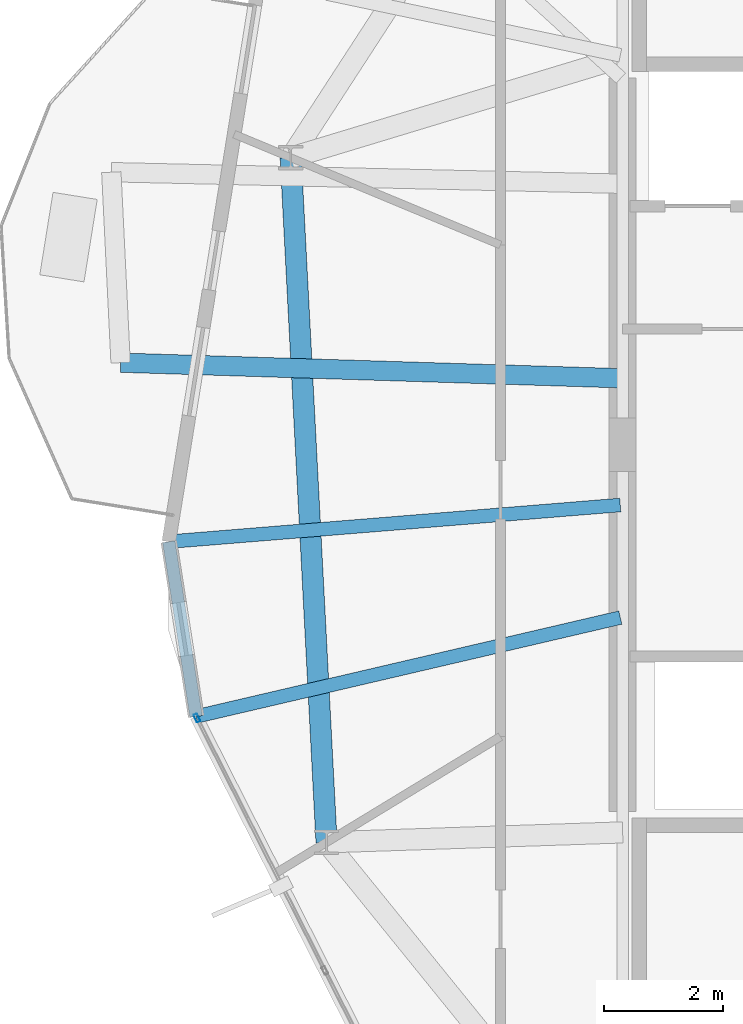
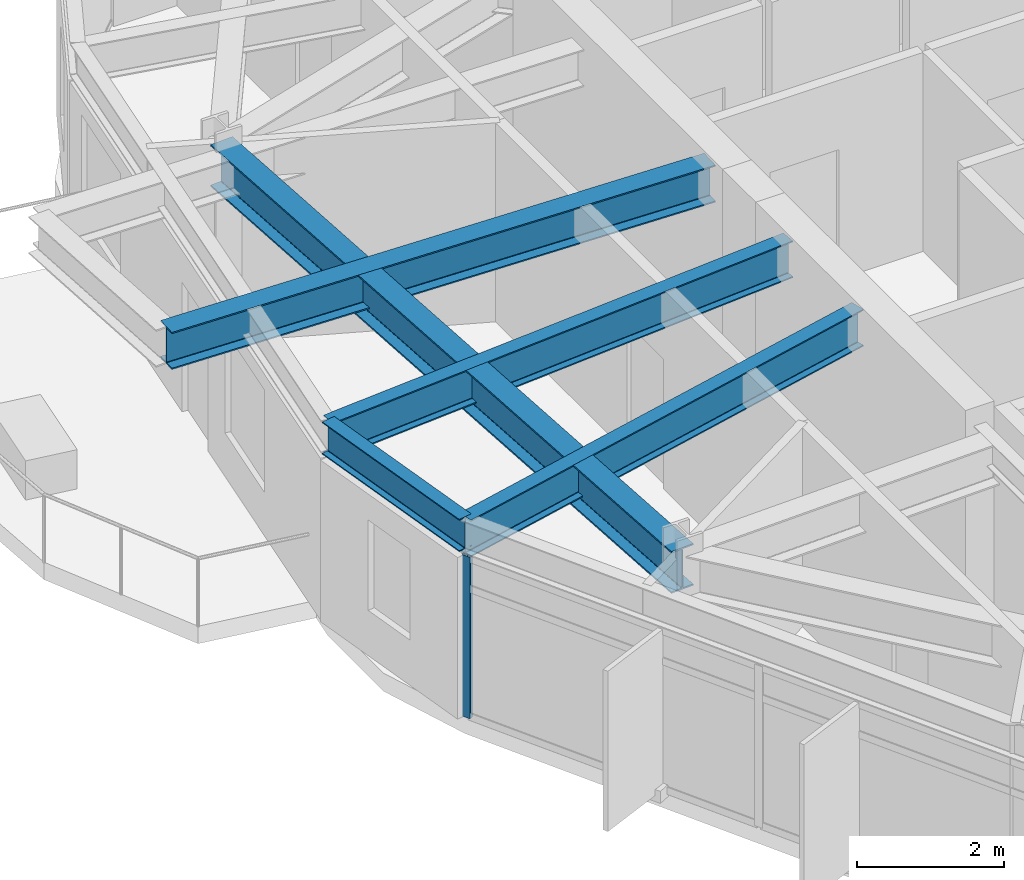
# One storey, part 6 of 27: 5 beams, 1 member, 1 element without a shape of its own.
"""IFC4 building model written with IfcOpenShell, lengths in metres."""

import ifcopenshell
import ifcopenshell.guid

model = None  # the IFC model being written
_history = None  # IfcOwnerHistory: only IFC2X3 demands one
_inside = {}  # id of a spatial element -> (the spatial element, [elements in it])
_under = {}  # id of a project, library or spatial element -> (it, [spatial elements below it])
_declared = {}  # id of a project -> (the project, [libraries it declares])
_typed = {}  # id of a type object -> (the type object, [elements of that type])
_made_of = {}  # id of a material, layer set ... -> (it, [elements and type objects made of it])


def new_model(schema):
    """Start an empty IFC model of exactly this schema.

    Asked for "IFC4X3", IfcOpenShell would pick the latest addendum, in which some entities
    have other attributes; the version numbers below select the first issue.
    IFC2X3 requires an IfcOwnerHistory on every rooted entity: one is made here for all.
    """
    global model, _history
    if schema == "IFC4X3":
        model = ifcopenshell.file(schema_version=(4, 3, 0, 0))
    else:
        model = ifcopenshell.file(schema=schema)
    _inside.clear()
    _under.clear()
    _declared.clear()
    _typed.clear()
    _made_of.clear()
    _history = None
    if model.schema == "IFC2X3":
        org = make("IfcOrganization", Name="unknown")
        user = make(
            "IfcPersonAndOrganization",
            ThePerson=make("IfcPerson", FamilyName="unknown"),
            TheOrganization=org,
        )
        app = make(
            "IfcApplication",
            ApplicationDeveloper=org,
            Version="unknown",
            ApplicationFullName="unknown",
            ApplicationIdentifier="unknown",
        )
        _history = make(
            "IfcOwnerHistory",
            OwningUser=user,
            OwningApplication=app,
            ChangeAction="ADDED",
            CreationDate=0,
        )
    return model


def make(cls, **values):
    """One entity of the class cls with the attributes given. An attribute that is None is left unset."""
    return model.create_entity(
        cls, **{name: value for name, value in values.items() if value is not None}
    )


def rooted(cls, **values):
    """An entity with a GlobalId (a new one), such as an element, a storey or a relation."""
    return make(cls, GlobalId=ifcopenshell.guid.new(), OwnerHistory=_history, **values)


def si_unit(unit_type, name, prefix=None):
    """IfcSIUnit, for example si_unit("LENGTHUNIT", "METRE", prefix="MILLI")."""
    return make("IfcSIUnit", UnitType=unit_type, Prefix=prefix, Name=name)


def assignment(units):
    """IfcUnitAssignment: the units of a project."""
    return None if units is None else make("IfcUnitAssignment", Units=units)


def point(xyz):
    """IfcCartesianPoint."""
    return None if xyz is None else make("IfcCartesianPoint", Coordinates=xyz)


def direction(xyz):
    """IfcDirection."""
    return None if xyz is None else make("IfcDirection", DirectionRatios=xyz)


def frame(location, z_axis=None, x_axis=None):
    """IfcAxis2Placement3D, a coordinate frame: its origin and axes. An axis left out is left unset."""
    return make(
        "IfcAxis2Placement3D",
        Location=point(location),
        Axis=direction(z_axis),
        RefDirection=direction(x_axis),
    )


def frame_2d(location, x_axis=None):
    """IfcAxis2Placement2D, a coordinate frame in the plane: its origin and x axis."""
    return make(
        "IfcAxis2Placement2D", Location=point(location), RefDirection=direction(x_axis)
    )


def origin():
    """The frame at (0, 0, 0) with its axes left unset."""
    return frame((0.0, 0.0, 0.0))


def origin_2d():
    """The frame at (0, 0) in the plane with its x axis left unset."""
    return frame_2d((0.0, 0.0))


def place(relative_to, where):
    """IfcLocalPlacement: puts the frame where relative to a parent placement (None: the world)."""
    return make(
        "IfcLocalPlacement", PlacementRelTo=relative_to, RelativePlacement=where
    )


def context(
    kind, dimensions, precision=None, world=None, true_north=None, identifier=None
):
    """IfcGeometricRepresentationContext, for example the 3D "Model" context."""
    return make(
        "IfcGeometricRepresentationContext",
        ContextIdentifier=identifier,
        ContextType=kind,
        CoordinateSpaceDimension=dimensions,
        Precision=precision,
        WorldCoordinateSystem=world,
        TrueNorth=true_north,
    )


def subcontext(parent, identifier, kind, view, scale=None):
    """IfcGeometricRepresentationSubContext, for example "Body" below "Model"."""
    return make(
        "IfcGeometricRepresentationSubContext",
        ContextIdentifier=identifier,
        ContextType=kind,
        ParentContext=parent,
        TargetScale=scale,
        TargetView=view,
    )


def project(units=None, contexts=None):
    """IfcProject with its units and contexts."""
    return rooted(
        "IfcProject",
        Name="project",
        RepresentationContexts=contexts,
        UnitsInContext=assignment(units),
    )


def spatial(cls, under=None, at=None, **own):
    """A site, building, storey or space (cls), placed at a placement, below another one or the project."""
    s = rooted(cls, ObjectPlacement=at, **own)
    if under is not None:
        _under.setdefault(under.id(), (under, []))[1].append(s)
    return s


def profile(cls, at=None, kind="AREA", **sizes):
    """A parametric profile (cls). Its sizes go by their IFC names, for example OverallWidth=200.0."""
    return make(cls, ProfileType=kind, Position=at, **sizes)


def hollow_rectangle(**sizes):
    """IfcRectangleHollowProfileDef."""
    return profile("IfcRectangleHollowProfileDef", **sizes)


def i_section(**sizes):
    """IfcIShapeProfileDef."""
    return profile("IfcIShapeProfileDef", **sizes)


def extrude(swept, where, along, depth):
    """IfcExtrudedAreaSolid: the profile swept, set in the frame where, extruded along a direction by depth."""
    return make(
        "IfcExtrudedAreaSolid",
        SweptArea=swept,
        Position=where,
        ExtrudedDirection=direction(along),
        Depth=depth,
    )


def shape(context_of_items, identifier, shape_type, items):
    """IfcShapeRepresentation: the items that make up one representation, for example the "Body"."""
    return make(
        "IfcShapeRepresentation",
        ContextOfItems=context_of_items,
        RepresentationIdentifier=identifier,
        RepresentationType=shape_type,
        Items=items,
    )


def material(Name=None, Category=None):
    """IfcMaterial."""
    return make("IfcMaterial", Name=Name, Category=Category)


def layer(
    of_material, thickness, ventilated=None, Name=None, Category=None, Priority=None
):
    """IfcMaterialLayer: one layer of a wall or slab, of a material (None: an air gap)."""
    return make(
        "IfcMaterialLayer",
        Material=of_material,
        LayerThickness=thickness,
        IsVentilated=ventilated,
        Name=Name,
        Category=Category,
        Priority=Priority,
    )


def layer_set(layers, Name=None):
    """IfcMaterialLayerSet."""
    return make("IfcMaterialLayerSet", MaterialLayers=layers, LayerSetName=Name)


def material_profile(
    of_material, cross_section, Name=None, Category=None, Priority=None
):
    """IfcMaterialProfile: a cross section and its material."""
    return make(
        "IfcMaterialProfile",
        Name=Name,
        Material=of_material,
        Profile=cross_section,
        Priority=Priority,
        Category=Category,
    )


def profile_set(profiles, Name=None, composite=None):
    """IfcMaterialProfileSet."""
    return make(
        "IfcMaterialProfileSet",
        Name=Name,
        MaterialProfiles=profiles,
        CompositeProfile=composite,
    )


def made_of(thing, what):
    """Note that an element or type object is made of a material, layer set ...; save() writes the relation."""
    if what is not None:
        _made_of.setdefault(what.id(), (what, []))[1].append(thing)
    return thing


def type_object(cls, material=None, **own):
    """A type object (cls), such as IfcWallType, which elements share."""
    return made_of(rooted(cls, **own), material)


def element(
    cls,
    number,
    at=None,
    inside=None,
    cuts=None,
    type_object=None,
    material=None,
    context=None,
    identifier="Body",
    shape_type=None,
    held_by="IfcProductDefinitionShape",
    body=None,
    shapes=None,
    **own,
):
    """One element of the class cls, such as IfcWall. Its Tag is "e" and its number.

    at: its placement. inside: the storey or other place that contains it. cuts: it is an
    opening in that element (IfcRelVoidsElement). A single representation is given by context,
    identifier, shape_type and body (its items); several are given by shapes. held_by: the class
    of the entity that holds the representations. save() writes the other relations.
    """
    e = rooted(cls, Tag="e%d" % number, ObjectPlacement=at, **own)
    if body is not None:
        shapes = [shape(context, identifier, shape_type, body)]
    if shapes is not None:
        e.Representation = make(held_by, Representations=shapes)
    if inside is not None:
        _inside.setdefault(inside.id(), (inside, []))[1].append(e)
    if cuts is not None:
        rooted(
            "IfcRelVoidsElement", RelatingBuildingElement=cuts, RelatedOpeningElement=e
        )
    if type_object is not None:
        _typed.setdefault(type_object.id(), (type_object, []))[1].append(e)
    return made_of(e, material)


def aggregate(whole, parts):
    """IfcRelAggregates: a whole, such as a stair, and the parts it consists of."""
    return rooted("IfcRelAggregates", RelatingObject=whole, RelatedObjects=parts)


def save(model, path):
    """Write the relations noted so far, then the file.

    IfcRelAggregates (storeys below a building ...), IfcRelContainedInSpatialStructure (elements
    in a storey), IfcRelDefinesByType, IfcRelAssociatesMaterial and IfcRelDeclares: one each for
    every whole, place, type object, material and project.
    """
    for whole, parts in _under.values():
        aggregate(whole, parts)
    for where, things in _inside.values():
        rooted(
            "IfcRelContainedInSpatialStructure",
            RelatedElements=things,
            RelatingStructure=where,
        )
    for kind, things in _typed.values():
        rooted("IfcRelDefinesByType", RelatedObjects=things, RelatingType=kind)
    for what, things in _made_of.values():
        rooted("IfcRelAssociatesMaterial", RelatedObjects=things, RelatingMaterial=what)
    for by, libraries in _declared.values():
        rooted("IfcRelDeclares", RelatingContext=by, RelatedDefinitions=libraries)
    model.write(path)


model = new_model("IFC4")

# Units and contexts
model_context = context("Model", 3, precision=1e-05, world=origin(), true_north=direction((0.0, 1.0)))
body_context = subcontext(model_context, "Body", "Model", "MODEL_VIEW")
ifc_project = project(units=[si_unit("LENGTHUNIT", "METRE"), si_unit("AREAUNIT", "SQUARE_METRE"), si_unit("VOLUMEUNIT", "CUBIC_METRE"), si_unit("PLANEANGLEUNIT", "RADIAN"), si_unit("MASSUNIT", "GRAM", prefix="KILO")], contexts=[model_context])

# Site, building, storey
site_placement = place(None, origin())
site = spatial("IfcSite", under=ifc_project, at=site_placement, CompositionType="ELEMENT")
building_placement = place(site_placement, origin())
building = spatial("IfcBuilding", under=site, at=building_placement, Name="Soratama Intermodal Tower", CompositionType="ELEMENT")
storey_placement = place(building_placement, frame((0.0, 0.0, 197.800048828125)))
storey = spatial("IfcBuildingStorey", under=building, at=storey_placement, Name="L49", CompositionType="ELEMENT", Elevation=197.800048828125)

# Beams
ifc_material_1 = material(Name="Structural steel ASTM A992 Grade 50", Category="steel")
ifc_material_profile_1 = material_profile(ifc_material_1, i_section(OverallWidth=0.324951171875, OverallDepth=0.615966796875, WebThickness=0.013916015625, FlangeThickness=0.021484375, FilletRadius=0.013916015625, at=origin_2d()), Name="W24X117")
ifc_profile_set_1 = profile_set([ifc_material_profile_1], Name="Structural steel ASTM A992 Grade 50")
beam_type_1 = type_object("IfcBeamType", Name="BM-CANT-W24X117", PredefinedType="BEAM", material=ifc_profile_set_1)
beam_1_placement = place(storey_placement, frame((32.56005859375, 26.115966796875, 2.991943359375), z_axis=(-0.999515168469, 0.031135638753, 0.0), x_axis=(-0.031135638753, -0.999515168469, 0.0)))
element("IfcBeam", 1, at=beam_1_placement, inside=storey, type_object=beam_type_1, Name="BM-L49-CANT-3-2", PredefinedType="BEAM", context=body_context, shape_type="SweptSolid", body=[
    extrude(i_section(OverallWidth=0.324951171875, OverallDepth=0.615966796875, WebThickness=0.013916015625, FlangeThickness=0.021484375, FilletRadius=0.013916015625, at=origin_2d()), origin(), (0.0, 0.0, 1.0), 8.38232421875),
])
ifc_material_2 = material(Name="Structural steel ASTM A992 Grade 50", Category="steel")
ifc_material_profile_2 = material_profile(ifc_material_2, i_section(OverallWidth=0.35498046875, OverallDepth=0.695068359375, WebThickness=0.015380859375, FlangeThickness=0.02490234375, FilletRadius=0.01611328125, at=origin_2d()), Name="W27X146")
ifc_profile_set_2 = profile_set([ifc_material_profile_2], Name="Structural steel ASTM A992 Grade 50")
beam_type_2 = type_object("IfcBeamType", Name="BM-RING-W27X146", PredefinedType="BEAM", material=ifc_profile_set_2)
beam_2_placement = place(storey_placement, frame((27.033935546875, 29.81396484375, 2.952392578125), z_axis=(0.052286849724, -0.998632107108, 0.0), x_axis=(0.998632107108, 0.052286849724, 0.0)))
element("IfcBeam", 2, at=beam_2_placement, inside=storey, type_object=beam_type_2, Name="BM-L49-RING-05", PredefinedType="BEAM", context=body_context, shape_type="SweptSolid", body=[
    extrude(i_section(OverallWidth=0.35498046875, OverallDepth=0.695068359375, WebThickness=0.015380859375, FlangeThickness=0.02490234375, FilletRadius=0.01611328125, at=origin_2d()), origin(), (0.0, 0.0, 1.0), 11.49560546875),
])
ifc_material_3 = material(Name="Structural steel ASTM A992 Grade 50", Category="steel")
ifc_material_profile_3 = material_profile(ifc_material_3, i_section(OverallWidth=0.2099609375, OverallDepth=0.537109375, WebThickness=0.010986328125, FlangeThickness=0.017333984375, FilletRadius=0.012939453125, at=origin_2d()), Name="W21X68")
ifc_profile_set_3 = profile_set([ifc_material_profile_3], Name="Structural steel ASTM A992 Grade 50")
beam_type_3 = type_object("IfcBeamType", Name="BM-SPN-W21X68", PredefinedType="SPANDREL", material=ifc_profile_set_3)
beam_3_placement = place(storey_placement, frame((24.989990234375, 23.375, 3.031494140625), z_axis=(0.15439445428, -0.988009287652, 0.0), x_axis=(0.988009287652, 0.15439445428, 0.0)))
element("IfcBeam", 3, at=beam_3_placement, inside=storey, type_object=beam_type_3, Name="BS-L49-CRN04", PredefinedType="SPANDREL", context=body_context, shape_type="SweptSolid", body=[
    extrude(i_section(OverallWidth=0.2099609375, OverallDepth=0.537109375, WebThickness=0.010986328125, FlangeThickness=0.017333984375, FilletRadius=0.012939453125, at=origin_2d()), origin(), (0.0, 0.0, 1.0), 2.966552734375),
])
ifc_material_4 = material(Name="Structural steel ASTM A992 Grade 50", Category="steel")
ifc_material_profile_4 = material_profile(ifc_material_4, i_section(OverallWidth=0.22900390625, OverallDepth=0.612060546875, WebThickness=0.011962890625, FlangeThickness=0.01953125, FilletRadius=0.012939453125, at=origin_2d()), Name="W24X84")
ifc_profile_set_4 = profile_set([ifc_material_profile_4], Name="Structural steel ASTM A992 Grade 50")
beam_type_4 = type_object("IfcBeamType", Name="BM-TIE-W24X84", PredefinedType="BEAM", material=ifc_profile_set_4)
beam_4_placement = place(storey_placement, frame((32.56005859375, 23.989990234375, 2.993896484375), z_axis=(-0.996716299086, -0.08097295312, 0.0), x_axis=(0.08097295312, -0.996716299086, 0.0)))
element("IfcBeam", 4, at=beam_4_placement, inside=storey, type_object=beam_type_4, Name="BM-L49-TIE1-04", PredefinedType="BEAM", context=body_context, shape_type="SweptSolid", body=[
    extrude(i_section(OverallWidth=0.22900390625, OverallDepth=0.612060546875, WebThickness=0.011962890625, FlangeThickness=0.01953125, FilletRadius=0.012939453125, at=origin_2d()), origin(), (0.0, 0.0, 1.0), 7.594970703125),
])
beam_5_placement = place(storey_placement, frame((32.56103515625, 22.10205078125, 2.993896484375), z_axis=(-0.973894194368, -0.227002418876, 0.0), x_axis=(0.227002418876, -0.973894194368, 0.0)))
element("IfcBeam", 5, at=beam_5_placement, inside=storey, type_object=beam_type_4, Name="BM-L49-TIE0-05", PredefinedType="BEAM", context=body_context, shape_type="SweptSolid", body=[
    extrude(i_section(OverallWidth=0.22900390625, OverallDepth=0.612060546875, WebThickness=0.011962890625, FlangeThickness=0.01953125, FilletRadius=0.012939453125, at=origin_2d()), origin(), (0.0, 0.0, 1.0), 7.3037109375),
])

# Curtain wall, member
ifc_material_5 = material(Name="Double-glazed aluminium curtain wall", Category="aluminium")
ifc_layer = layer(ifc_material_5, 0.159912109375)
ifc_layer_set = layer_set([ifc_layer], Name="Double-glazed aluminium curtain wall")
curtain_wall_type = type_object("IfcCurtainWallType", Name="CW-SYS-5", PredefinedType="NOTDEFINED", material=ifc_layer_set)
curtain_wall_placement = place(storey_placement, origin())
curtain_wall = element("IfcCurtainWall", 6, at=curtain_wall_placement, inside=storey, type_object=curtain_wall_type, Name="L49 Faceted Curtain Wall F05", PredefinedType="NOTDEFINED")
ifc_material_6 = material(Name="Anodised aluminium AA 6063-T6", Category="aluminium")
ifc_material_profile_5 = material_profile(ifc_material_6, hollow_rectangle(XDim=0.06494140625, YDim=0.139892578125, WallThickness=0.0048828125, InnerFilletRadius=0.0048828125, OuterFilletRadius=0.010009765625, at=origin_2d()), Name="CWM140X65X5")
ifc_profile_set_5 = profile_set([ifc_material_profile_5], Name="Anodised aluminium AA 6063-T6")
member_type = type_object("IfcMemberType", Name="MT-CWM-5", PredefinedType="MULLION", material=ifc_profile_set_5)
member_placement = place(storey_placement, frame((25.46142578125, 20.417236328125, 0.0), z_axis=(0.0, 0.0, 1.0), x_axis=(0.891957765686, 0.452118728027, 0.0)))
member = element("IfcMember", 7, at=member_placement, type_object=member_type, Name="CW-5 mullion 1", PredefinedType="MULLION", context=body_context, shape_type="SweptSolid", body=[
    extrude(hollow_rectangle(XDim=0.06494140625, YDim=0.139892578125, WallThickness=0.0048828125, InnerFilletRadius=0.0048828125, OuterFilletRadius=0.010009765625, at=origin_2d()), origin(), (0.0, 0.0, 1.0), 2.678955078125),
])
aggregate(curtain_wall, [member])

save(model, "model.ifc")
